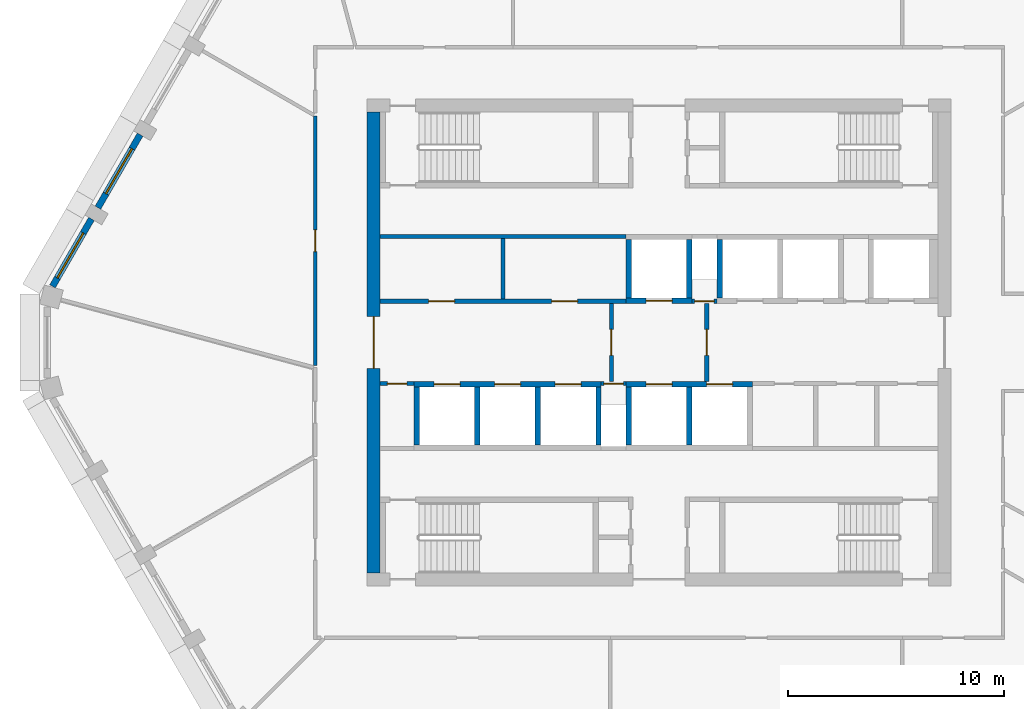
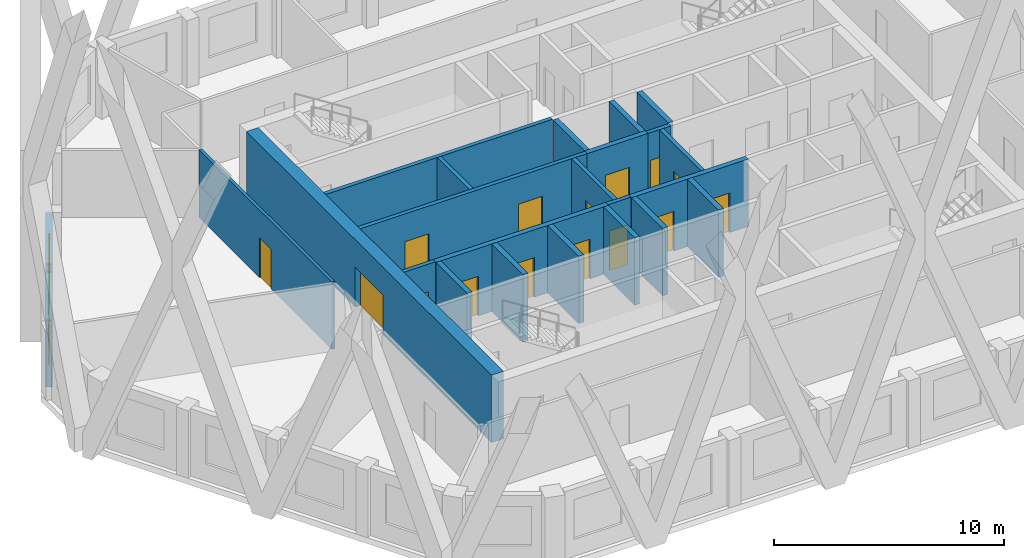
# One storey, part 3 of 14: 24 walls, 15 doors, 2 windows, 17 openings.
"""IFC4 building model written with IfcOpenShell, lengths in metres."""

from ifc_helpers import new_model, si_unit, direction, frame, frame_2d, origin, place, context, subcontext, project, spatial, polyline, rectangle, outline, extrude, material, layer, layer_set, type_object, element, fill, save


model = new_model("IFC4")

# Units and contexts
model_context = context("Model", 3, precision=1e-05, world=origin(), true_north=direction((0.0, 1.0)))
body_context = subcontext(model_context, "Body", "Model", "MODEL_VIEW")
ifc_project = project(units=[si_unit("LENGTHUNIT", "METRE"), si_unit("AREAUNIT", "SQUARE_METRE"), si_unit("VOLUMEUNIT", "CUBIC_METRE"), si_unit("PLANEANGLEUNIT", "RADIAN"), si_unit("MASSUNIT", "GRAM", prefix="KILO")], contexts=[model_context])

# Site, building, storey
site_placement = place(None, origin())
site = spatial("IfcSite", under=ifc_project, at=site_placement, CompositionType="ELEMENT")
building_placement = place(site_placement, origin())
building = spatial("IfcBuilding", under=site, at=building_placement, Name="Dhurran Vertical Campus", CompositionType="ELEMENT")
storey_placement = place(building_placement, frame((0.0, 0.0, 286.5)))
storey = spatial("IfcBuildingStorey", under=building, at=storey_placement, Name="L71", CompositionType="ELEMENT", Elevation=286.5)

# Wall, opening, window
ifc_material_1 = material(Name="Precast concrete C50/60", Category="concrete")
ifc_layer_1 = layer(ifc_material_1, 0.300048828125)
ifc_layer_set_1 = layer_set([ifc_layer_1], Name="Precast concrete C50/60")
wall_type_1 = type_object("IfcWallType", Name="Precast spandrel wall 300", PredefinedType="SOLIDWALL", material=ifc_layer_set_1)
wall_1_placement = place(storey_placement, frame((-23.994384765625, 9.60888671875, 0.0), z_axis=(0.0, 0.0, 1.0), x_axis=(-0.500011542666, -0.866018739521, 0.0)))
wall_1 = element("IfcWall", 1, at=wall_1_placement, inside=storey, type_object=wall_type_1, Name="EW1 L71.28", PredefinedType="SOLIDWALL", context=body_context, shape_type="SweptSolid", body=[
    extrude(rectangle(XDim=3.89892578125, YDim=0.300048828125, at=frame_2d((1.949462890625, 0.0))), origin(), (0.0, 0.0, 1.0), 3.574951171875),
])
opening_1_placement = place(wall_1_placement, frame((0.74951171875, 0.0, 0.89990234375)))
opening_1 = element("IfcOpeningElement", 2, at=opening_1_placement, cuts=wall_1, Name="Opening WT1", PredefinedType="OPENING", context=body_context, shape_type="SweptSolid", body=[
    extrude(rectangle(XDim=2.39990234375, YDim=2.10009765625, at=frame_2d((1.199951171875, 1.050048828125))), frame((0.0, 0.159912109375, 0.0), z_axis=(0.0, -1.0, 0.0), x_axis=(1.0, 0.0, 0.0)), (0.0, 0.0, 1.0), 0.320068359375),
])
ifc_material_2 = material(Name="Aluminium frame with solar-control glass", Category="aluminium")
window_type = type_object("IfcWindowType", Name="Punched window 2400 x 2100", PartitioningType="SINGLE_PANEL", PredefinedType="WINDOW", material=ifc_material_2)
window_1_placement = place(opening_1_placement, origin())
window_1 = element("IfcWindow", 3, at=window_1_placement, inside=storey, type_object=window_type, Name="WT1 L71.28", OverallHeight=2.10009765625, OverallWidth=2.39990234375, PartitioningType="SINGLE_PANEL", PredefinedType="WINDOW", context=body_context, shape_type="SweptSolid", body=[
    extrude(rectangle(XDim=2.39990234375, YDim=2.10009765625, at=frame_2d((1.199951171875, 1.050048828125))), frame((0.0, 0.030029296875, 0.0), z_axis=(0.0, -1.0, 0.0), x_axis=(1.0, 0.0, 0.0)), (0.0, 0.0, 1.0), 0.06005859375),
])
fill(opening_1, window_1)

wall_2_placement = place(storey_placement, frame((-26.244384765625, 5.7119140625, 0.0), z_axis=(0.0, 0.0, 1.0), x_axis=(-0.499969057507, -0.866043267704, 0.0)))
wall_2 = element("IfcWall", 4, at=wall_2_placement, inside=storey, type_object=wall_type_1, Name="EW1 L71.29", PredefinedType="SOLIDWALL", context=body_context, shape_type="SweptSolid", body=[
    extrude(rectangle(XDim=3.599365234375, YDim=0.300048828125, at=frame_2d((1.7998046875, 0.0))), origin(), (0.0, 0.0, 1.0), 3.574951171875),
])
opening_2_placement = place(wall_2_placement, frame((0.74951171875, 0.0, 0.89990234375)))
opening_2 = element("IfcOpeningElement", 5, at=opening_2_placement, cuts=wall_2, Name="Opening WT1", PredefinedType="OPENING", context=body_context, shape_type="SweptSolid", body=[
    extrude(rectangle(XDim=2.39990234375, YDim=2.10009765625, at=frame_2d((1.199951171875, 1.050048828125))), frame((0.0, 0.159912109375, 0.0), z_axis=(0.0, -1.0, 0.0), x_axis=(1.0, 0.0, 0.0)), (0.0, 0.0, 1.0), 0.320068359375),
])
window_2_placement = place(opening_2_placement, origin())
window_2 = element("IfcWindow", 6, at=window_2_placement, inside=storey, type_object=window_type, Name="WT1 L71.29", OverallHeight=2.10009765625, OverallWidth=2.39990234375, PartitioningType="SINGLE_PANEL", PredefinedType="WINDOW", context=body_context, shape_type="SweptSolid", body=[
    extrude(rectangle(XDim=2.39990234375, YDim=2.10009765625, at=frame_2d((1.199951171875, 1.050048828125))), frame((0.0, 0.030029296875, 0.0), z_axis=(0.0, -1.0, 0.0), x_axis=(1.0, 0.0, 0.0)), (0.0, 0.0, 1.0), 0.06005859375),
])
fill(opening_2, window_2)

# Wall, opening, door
ifc_material_3 = material(Name="Concrete C50/60", Category="concrete")
ifc_layer_2 = layer(ifc_material_3, 0.60009765625)
ifc_layer_set_2 = layer_set([ifc_layer_2], Name="Concrete C50/60")
wall_type_2 = type_object("IfcWallType", Name="co-CORE-WALL-C2-600", PredefinedType="SHEAR", material=ifc_layer_set_2)
wall_3_placement = place(storey_placement, frame((-13.199951171875, -10.64990234375, 0.0), z_axis=(0.0, 0.0, 1.0), x_axis=(0.0, 1.0, 0.0)))
wall_3 = element("IfcWall", 7, at=wall_3_placement, inside=storey, type_object=wall_type_2, Name="Core wall W L71", PredefinedType="SHEAR", context=body_context, shape_type="SweptSolid", body=[
    extrude(rectangle(XDim=21.2998046875, YDim=0.60009765625, at=frame_2d((10.64990234375, 0.0))), origin(), (0.0, 0.0, 1.0), 3.574951171875),
])
opening_3_placement = place(wall_3_placement, frame((9.449951171875, 0.0, 0.0)))
opening_3 = element("IfcOpeningElement", 8, at=opening_3_placement, cuts=wall_3, Name="Opening CL1", PredefinedType="OPENING", context=body_context, shape_type="SweptSolid", body=[
    extrude(rectangle(XDim=2.39990234375, YDim=2.10009765625, at=frame_2d((1.199951171875, 1.050048828125))), frame((0.0, 0.31005859375, 0.0), z_axis=(0.0, -1.0, 0.0), x_axis=(1.0, 0.0, 0.0)), (0.0, 0.0, 1.0), 0.6201171875),
])
ifc_material_4 = material(Name="Fire-rated glazed door set")
door_type_1 = type_object("IfcDoorType", Name="co-D-LOBBY 2400x2100", OperationType="DOUBLE_DOOR_DOUBLE_SWING", PredefinedType="DOOR", material=ifc_material_4)
door_1_placement = place(opening_3_placement, origin())
door_1 = element("IfcDoor", 9, at=door_1_placement, inside=storey, type_object=door_type_1, Name="Lift lobby door W L71", OperationType="DOUBLE_DOOR_DOUBLE_SWING", OverallHeight=2.10009765625, OverallWidth=2.39990234375, PredefinedType="DOOR", context=body_context, shape_type="SweptSolid", body=[
    extrude(rectangle(XDim=2.39990234375, YDim=2.10009765625, at=frame_2d((1.199951171875, 1.050048828125))), frame((0.0, 0.02490234375, 0.0), z_axis=(0.0, -1.0, 0.0), x_axis=(1.0, 0.0, 0.0)), (0.0, 0.0, 1.0), 0.050048828125),
])
fill(opening_3, door_1)

ifc_material_5 = material(Name="Fire-rated masonry blockwork", Category="masonry")
ifc_layer_3 = layer(ifc_material_5, 0.199951171875)
ifc_layer_set_3 = layer_set([ifc_layer_3], Name="Fire-rated masonry blockwork")
wall_type_3 = type_object("IfcWallType", Name="co-FIRE-PARTITION-200", PredefinedType="PARTITIONING", material=ifc_layer_set_3)
wall_4_placement = place(storey_placement, frame((-2.199951171875, -1.800048828125, 0.0), z_axis=(0.0, 0.0, 1.0), x_axis=(0.0, 1.0, 0.0)))
wall_4 = element("IfcWall", 10, at=wall_4_placement, inside=storey, type_object=wall_type_3, Name="Firefighting lobby wall W L71", PredefinedType="PARTITIONING", context=body_context, shape_type="SweptSolid", body=[
    extrude(rectangle(XDim=3.60009765625, YDim=0.199951171875, at=frame_2d((1.800048828125, 0.0))), origin(), (0.0, 0.0, 1.0), 3.574951171875),
])
opening_4_placement = place(wall_4_placement, frame((1.199951171875, 0.0, 0.0)))
opening_4 = element("IfcOpeningElement", 11, at=opening_4_placement, cuts=wall_4, Name="Opening FL1", PredefinedType="OPENING", context=body_context, shape_type="SweptSolid", body=[
    extrude(rectangle(XDim=1.199951171875, YDim=2.10009765625, at=frame_2d((0.60009765625, 1.050048828125))), frame((0.0, 0.10986328125, 0.0), z_axis=(0.0, -1.0, 0.0), x_axis=(1.0, 0.0, 0.0)), (0.0, 0.0, 1.0), 0.219970703125),
])
ifc_material_6 = material(Name="Fire-rated steel door set", Category="steel")
door_type_2 = type_object("IfcDoorType", Name="co-D-FFLOBBY 1200x2100", OperationType="SINGLE_SWING_LEFT", PredefinedType="DOOR", material=ifc_material_6)
door_2_placement = place(opening_4_placement, origin())
door_2 = element("IfcDoor", 12, at=door_2_placement, inside=storey, type_object=door_type_2, Name="Firefighting lobby door W L71", OperationType="SINGLE_SWING_LEFT", OverallHeight=2.10009765625, OverallWidth=1.199951171875, PredefinedType="DOOR", context=body_context, shape_type="SweptSolid", body=[
    extrude(rectangle(XDim=1.199951171875, YDim=2.10009765625, at=frame_2d((0.60009765625, 1.050048828125))), frame((0.0, 0.02490234375, 0.0), z_axis=(0.0, -1.0, 0.0), x_axis=(1.0, 0.0, 0.0)), (0.0, 0.0, 1.0), 0.050048828125),
])
fill(opening_4, door_2)

wall_5_placement = place(storey_placement, frame((2.199951171875, -1.800048828125, 0.0), z_axis=(0.0, 0.0, 1.0), x_axis=(0.0, 1.0, 0.0)))
wall_5 = element("IfcWall", 13, at=wall_5_placement, inside=storey, type_object=wall_type_3, Name="Firefighting lobby wall E L71", PredefinedType="PARTITIONING", context=body_context, shape_type="SweptSolid", body=[
    extrude(rectangle(XDim=3.60009765625, YDim=0.199951171875, at=frame_2d((1.800048828125, 0.0))), origin(), (0.0, 0.0, 1.0), 3.574951171875),
])
opening_5_placement = place(wall_5_placement, frame((1.199951171875, 0.0, 0.0)))
opening_5 = element("IfcOpeningElement", 14, at=opening_5_placement, cuts=wall_5, Name="Opening FL2", PredefinedType="OPENING", context=body_context, shape_type="SweptSolid", body=[
    extrude(rectangle(XDim=1.199951171875, YDim=2.10009765625, at=frame_2d((0.60009765625, 1.050048828125))), frame((0.0, 0.10986328125, 0.0), z_axis=(0.0, -1.0, 0.0), x_axis=(1.0, 0.0, 0.0)), (0.0, 0.0, 1.0), 0.219970703125),
])
door_3_placement = place(opening_5_placement, origin())
door_3 = element("IfcDoor", 15, at=door_3_placement, inside=storey, type_object=door_type_2, Name="Firefighting lobby door E L71", OperationType="SINGLE_SWING_LEFT", OverallHeight=2.10009765625, OverallWidth=1.199951171875, PredefinedType="DOOR", context=body_context, shape_type="SweptSolid", body=[
    extrude(rectangle(XDim=1.199951171875, YDim=2.10009765625, at=frame_2d((0.60009765625, 1.050048828125))), frame((0.0, 0.02490234375, 0.0), z_axis=(0.0, -1.0, 0.0), x_axis=(1.0, 0.0, 0.0)), (0.0, 0.0, 1.0), 0.050048828125),
])
fill(opening_5, door_3)

# Wall
wall_6_placement = place(storey_placement, frame((-7.21240234375, 2.0, 0.0), z_axis=(0.0, 0.0, 1.0), x_axis=(0.0, 1.0, 0.0)))
element("IfcWall", 16, at=wall_6_placement, inside=storey, type_object=wall_type_3, Name="Core partition fr-N0-cut0 L71", PredefinedType="PARTITIONING", context=body_context, shape_type="SweptSolid", body=[
    extrude(rectangle(XDim=2.800048828125, YDim=0.199951171875, at=frame_2d((1.39990234375, 0.0))), origin(), (0.0, 0.0, 1.0), 3.574951171875),
])

# Wall, openings, doors
wall_7_placement = place(storey_placement, frame((-12.89990234375, 1.89990234375, 0.0), z_axis=(0.0, 0.0, 1.0), x_axis=(1.0, 0.0, 0.0)))
wall_7 = element("IfcWall", 17, at=wall_7_placement, inside=storey, type_object=wall_type_3, Name="Core partition fr-N0-f L71", PredefinedType="PARTITIONING", context=body_context, shape_type="SweptSolid", body=[
    extrude(rectangle(XDim=11.375, YDim=0.199951171875, at=frame_2d((5.6875, 0.0))), origin(), (0.0, 0.0, 1.0), 3.574951171875),
])
opening_6_placement = place(wall_7_placement, frame((2.243896484375, 0.0, 0.0)))
opening_6 = element("IfcOpeningElement", 18, at=opening_6_placement, cuts=wall_7, Name="Opening T21-C7", PredefinedType="OPENING", context=body_context, shape_type="SweptSolid", body=[
    extrude(rectangle(XDim=1.199951171875, YDim=2.10009765625, at=frame_2d((0.60009765625, 1.050048828125))), frame((0.0, 0.10986328125, 0.0), z_axis=(0.0, -1.0, 0.0), x_axis=(1.0, 0.0, 0.0)), (0.0, 0.0, 1.0), 0.219970703125),
])
opening_7_placement = place(wall_7_placement, frame((7.931396484375, 0.0, 0.0)))
opening_7 = element("IfcOpeningElement", 19, at=opening_7_placement, cuts=wall_7, Name="Opening T21-C8", PredefinedType="OPENING", context=body_context, shape_type="SweptSolid", body=[
    extrude(rectangle(XDim=1.199951171875, YDim=2.10009765625, at=frame_2d((0.60009765625, 1.050048828125))), frame((0.0, 0.10986328125, 0.0), z_axis=(0.0, -1.0, 0.0), x_axis=(1.0, 0.0, 0.0)), (0.0, 0.0, 1.0), 0.219970703125),
])
ifc_material_7 = material(Name="Fire-rated steel door set", Category="steel")
door_type_3 = type_object("IfcDoorType", Name="co-D-ROOM-PASSAGE 1200x2100", OperationType="SINGLE_SWING_RIGHT", PredefinedType="DOOR", material=ifc_material_7)
door_4_placement = place(opening_6_placement, origin())
door_4 = element("IfcDoor", 20, at=door_4_placement, inside=storey, type_object=door_type_3, Name="Store door L71", OperationType="SINGLE_SWING_RIGHT", OverallHeight=2.10009765625, OverallWidth=1.199951171875, PredefinedType="DOOR", context=body_context, shape_type="SweptSolid", body=[
    extrude(rectangle(XDim=1.199951171875, YDim=2.10009765625, at=frame_2d((0.60009765625, 1.050048828125))), frame((0.0, 0.02490234375, 0.0), z_axis=(0.0, -1.0, 0.0), x_axis=(1.0, 0.0, 0.0)), (0.0, 0.0, 1.0), 0.050048828125),
])
fill(opening_6, door_4)
door_5_placement = place(opening_7_placement, origin())
door_5 = element("IfcDoor", 21, at=door_5_placement, inside=storey, type_object=door_type_3, Name="Electrical riser door L71", OperationType="SINGLE_SWING_RIGHT", OverallHeight=2.10009765625, OverallWidth=1.199951171875, PredefinedType="DOOR", context=body_context, shape_type="SweptSolid", body=[
    extrude(rectangle(XDim=1.199951171875, YDim=2.10009765625, at=frame_2d((0.60009765625, 1.050048828125))), frame((0.0, 0.02490234375, 0.0), z_axis=(0.0, -1.0, 0.0), x_axis=(1.0, 0.0, 0.0)), (0.0, 0.0, 1.0), 0.050048828125),
])
fill(opening_7, door_5)

# Wall
wall_8_placement = place(storey_placement, frame((-12.89990234375, 4.89990234375, 0.0), z_axis=(0.0, 0.0, 1.0), x_axis=(1.0, 0.0, 0.0)))
element("IfcWall", 22, at=wall_8_placement, inside=storey, type_object=wall_type_3, Name="Core partition fr-N0-b L71", PredefinedType="PARTITIONING", context=body_context, shape_type="SweptSolid", body=[
    extrude(rectangle(XDim=11.375, YDim=0.199951171875, at=frame_2d((5.6875, 0.0))), origin(), (0.0, 0.0, 1.0), 3.574951171875),
])

# Wall, opening, door
wall_9_placement = place(storey_placement, frame((1.52490234375, 1.89990234375, 0.0), z_axis=(0.0, 0.0, 1.0), x_axis=(1.0, 0.0, 0.0)))
wall_9 = element("IfcWall", 23, at=wall_9_placement, inside=storey, type_object=wall_type_3, Name="Core partition fr-N1-f L71", PredefinedType="PARTITIONING", context=body_context, shape_type="SweptSolid", body=[
    extrude(rectangle(XDim=1.150146484375, YDim=0.199951171875, at=frame_2d((0.5751953125, 0.0))), origin(), (0.0, 0.0, 1.0), 3.574951171875),
])
opening_8_placement = place(wall_9_placement, frame((0.125, 0.0, 0.0)))
opening_8 = element("IfcOpeningElement", 24, at=opening_8_placement, cuts=wall_9, Name="Opening T21-C9", PredefinedType="OPENING", context=body_context, shape_type="SweptSolid", body=[
    extrude(rectangle(XDim=0.89990234375, YDim=2.10009765625, at=frame_2d((0.449951171875, 1.050048828125))), frame((0.0, 0.10986328125, 0.0), z_axis=(0.0, -1.0, 0.0), x_axis=(1.0, 0.0, 0.0)), (0.0, 0.0, 1.0), 0.219970703125),
])
ifc_material_8 = material(Name="Fire-rated timber door set", Category="wood")
door_type_4 = type_object("IfcDoorType", Name="co-D-ROOM 900x2100", OperationType="SINGLE_SWING_LEFT", PredefinedType="DOOR", material=ifc_material_8)
door_6_placement = place(opening_8_placement, origin())
door_6 = element("IfcDoor", 25, at=door_6_placement, inside=storey, type_object=door_type_4, Name="Water riser door L71", OperationType="SINGLE_SWING_LEFT", OverallHeight=2.10009765625, OverallWidth=0.89990234375, PredefinedType="DOOR", context=body_context, shape_type="SweptSolid", body=[
    extrude(rectangle(XDim=0.89990234375, YDim=2.10009765625, at=frame_2d((0.449951171875, 1.050048828125))), frame((0.0, 0.02490234375, 0.0), z_axis=(0.0, -1.0, 0.0), x_axis=(1.0, 0.0, 0.0)), (0.0, 0.0, 1.0), 0.050048828125),
])
fill(opening_8, door_6)

wall_10_placement = place(storey_placement, frame((-12.89990234375, -1.89990234375, 0.0), z_axis=(0.0, 0.0, 1.0), x_axis=(1.0, 0.0, 0.0)))
wall_10 = element("IfcWall", 26, at=wall_10_placement, inside=storey, type_object=wall_type_3, Name="Core partition fr-S0-f L71", PredefinedType="PARTITIONING", context=body_context, shape_type="SweptSolid", body=[
    extrude(rectangle(XDim=1.574951171875, YDim=0.199951171875, at=frame_2d((0.78759765625, 0.0))), origin(), (0.0, 0.0, 1.0), 3.574951171875),
])
opening_9_placement = place(wall_10_placement, frame((0.33740234375, 0.0, 0.0)))
opening_9 = element("IfcOpeningElement", 27, at=opening_9_placement, cuts=wall_10, Name="Opening T21-C11", PredefinedType="OPENING", context=body_context, shape_type="SweptSolid", body=[
    extrude(rectangle(XDim=0.89990234375, YDim=2.10009765625, at=frame_2d((0.449951171875, 1.050048828125))), frame((0.0, 0.10986328125, 0.0), z_axis=(0.0, -1.0, 0.0), x_axis=(1.0, 0.0, 0.0)), (0.0, 0.0, 1.0), 0.219970703125),
])
door_7_placement = place(opening_9_placement, origin())
door_7 = element("IfcDoor", 28, at=door_7_placement, inside=storey, type_object=door_type_4, Name="Cleaner's store door L71", OperationType="SINGLE_SWING_LEFT", OverallHeight=2.10009765625, OverallWidth=0.89990234375, PredefinedType="DOOR", context=body_context, shape_type="SweptSolid", body=[
    extrude(rectangle(XDim=0.89990234375, YDim=2.10009765625, at=frame_2d((0.449951171875, 1.050048828125))), frame((0.0, 0.02490234375, 0.0), z_axis=(0.0, -1.0, 0.0), x_axis=(1.0, 0.0, 0.0)), (0.0, 0.0, 1.0), 0.050048828125),
])
fill(opening_9, door_7)

wall_11_placement = place(storey_placement, frame((-2.675048828125, -1.89990234375, 0.0), z_axis=(0.0, 0.0, 1.0), x_axis=(1.0, 0.0, 0.0)))
wall_11 = element("IfcWall", 29, at=wall_11_placement, inside=storey, type_object=wall_type_3, Name="Core partition fr-S1-f L71", PredefinedType="PARTITIONING", context=body_context, shape_type="SweptSolid", body=[
    extrude(rectangle(XDim=1.150146484375, YDim=0.199951171875, at=frame_2d((0.5751953125, 0.0))), origin(), (0.0, 0.0, 1.0), 3.574951171875),
])
opening_10_placement = place(wall_11_placement, frame((0.125, 0.0, 0.0)))
opening_10 = element("IfcOpeningElement", 30, at=opening_10_placement, cuts=wall_11, Name="Opening T21-C12", PredefinedType="OPENING", context=body_context, shape_type="SweptSolid", body=[
    extrude(rectangle(XDim=0.89990234375, YDim=2.10009765625, at=frame_2d((0.449951171875, 1.050048828125))), frame((0.0, 0.10986328125, 0.0), z_axis=(0.0, -1.0, 0.0), x_axis=(1.0, 0.0, 0.0)), (0.0, 0.0, 1.0), 0.219970703125),
])
door_8_placement = place(opening_10_placement, origin())
door_8 = element("IfcDoor", 31, at=door_8_placement, inside=storey, type_object=door_type_4, Name="Electrical riser door L71", OperationType="SINGLE_SWING_LEFT", OverallHeight=2.10009765625, OverallWidth=0.89990234375, PredefinedType="DOOR", context=body_context, shape_type="SweptSolid", body=[
    extrude(rectangle(XDim=0.89990234375, YDim=2.10009765625, at=frame_2d((0.449951171875, 1.050048828125))), frame((0.0, 0.02490234375, 0.0), z_axis=(0.0, -1.0, 0.0), x_axis=(1.0, 0.0, 0.0)), (0.0, 0.0, 1.0), 0.050048828125),
])
fill(opening_10, door_8)

ifc_material_9 = material(Name="Concrete C50/60", Category="concrete")
ifc_layer_4 = layer(ifc_material_9, 0.25)
ifc_layer_set_4 = layer_set([ifc_layer_4], Name="Concrete C50/60")
wall_type_4 = type_object("IfcWallType", Name="co-SHAFT-FRONT-250", PredefinedType="SHEAR", material=ifc_layer_set_4)
wall_12_placement = place(storey_placement, frame((-1.52490234375, 1.925048828125, 0.0), z_axis=(0.0, 0.0, 1.0), x_axis=(1.0, 0.0, 0.0)))
wall_12 = element("IfcWall", 32, at=wall_12_placement, inside=storey, type_object=wall_type_4, Name="Lift landing wall N L71", PredefinedType="SHEAR", context=body_context, shape_type="SweptSolid", body=[
    extrude(rectangle(XDim=3.0498046875, YDim=0.25, at=frame_2d((1.52490234375, 0.0))), origin(), (0.0, 0.0, 1.0), 3.574951171875),
])
opening_11_placement = place(wall_12_placement, frame((0.925048828125, 0.0, 0.0)))
opening_11 = element("IfcOpeningElement", 33, at=opening_11_placement, cuts=wall_12, Name="Opening LD", PredefinedType="OPENING", context=body_context, shape_type="SweptSolid", body=[
    extrude(rectangle(XDim=1.199951171875, YDim=2.10009765625, at=frame_2d((0.60009765625, 1.050048828125))), frame((0.0, 0.135009765625, 0.0), z_axis=(0.0, -1.0, 0.0), x_axis=(1.0, 0.0, 0.0)), (0.0, 0.0, 1.0), 0.27001953125),
])
ifc_material_10 = material(Name="Stainless steel landing door", Category="steel")
door_type_5 = type_object("IfcDoorType", Name="co-D-LANDING 1200x2100", OperationType="DOUBLE_DOOR_SLIDING", PredefinedType="DOOR", material=ifc_material_10)
door_9_placement = place(opening_11_placement, origin())
door_9 = element("IfcDoor", 34, at=door_9_placement, inside=storey, type_object=door_type_5, Name="Landing door FF1 L71", OperationType="DOUBLE_DOOR_SLIDING", OverallHeight=2.10009765625, OverallWidth=1.199951171875, PredefinedType="DOOR", context=body_context, shape_type="SweptSolid", body=[
    extrude(rectangle(XDim=1.199951171875, YDim=2.10009765625, at=frame_2d((0.60009765625, 1.050048828125))), frame((0.0, 0.02490234375, 0.0), z_axis=(0.0, -1.0, 0.0), x_axis=(1.0, 0.0, 0.0)), (0.0, 0.0, 1.0), 0.050048828125),
])
fill(opening_11, door_9)

# Wall, openings, doors
wall_13_placement = place(storey_placement, frame((-11.324951171875, -1.925048828125, 0.0), z_axis=(0.0, 0.0, 1.0), x_axis=(1.0, 0.0, 0.0)))
wall_13 = element("IfcWall", 35, at=wall_13_placement, inside=storey, type_object=wall_type_4, Name="Lift landing wall S L71", PredefinedType="SHEAR", context=body_context, shape_type="SweptSolid", body=[
    extrude(rectangle(XDim=8.64990234375, YDim=0.25, at=frame_2d((4.324951171875, 0.0))), origin(), (0.0, 0.0, 1.0), 3.574951171875),
])
opening_12_placement = place(wall_13_placement, frame((0.925048828125, 0.0, 0.0)))
opening_12 = element("IfcOpeningElement", 36, at=opening_12_placement, cuts=wall_13, Name="Opening LD", PredefinedType="OPENING", context=body_context, shape_type="SweptSolid", body=[
    extrude(rectangle(XDim=1.199951171875, YDim=2.10009765625, at=frame_2d((0.60009765625, 1.050048828125))), frame((0.0, 0.135009765625, 0.0), z_axis=(0.0, -1.0, 0.0), x_axis=(1.0, 0.0, 0.0)), (0.0, 0.0, 1.0), 0.27001953125),
])
opening_13_placement = place(wall_13_placement, frame((3.72509765625, 0.0, 0.0)))
opening_13 = element("IfcOpeningElement", 37, at=opening_13_placement, cuts=wall_13, Name="Opening LD", PredefinedType="OPENING", context=body_context, shape_type="SweptSolid", body=[
    extrude(rectangle(XDim=1.199951171875, YDim=2.10009765625, at=frame_2d((0.60009765625, 1.050048828125))), frame((0.0, 0.135009765625, 0.0), z_axis=(0.0, -1.0, 0.0), x_axis=(1.0, 0.0, 0.0)), (0.0, 0.0, 1.0), 0.27001953125),
])
opening_14_placement = place(wall_13_placement, frame((6.52490234375, 0.0, 0.0)))
opening_14 = element("IfcOpeningElement", 38, at=opening_14_placement, cuts=wall_13, Name="Opening LD", PredefinedType="OPENING", context=body_context, shape_type="SweptSolid", body=[
    extrude(rectangle(XDim=1.199951171875, YDim=2.10009765625, at=frame_2d((0.60009765625, 1.050048828125))), frame((0.0, 0.135009765625, 0.0), z_axis=(0.0, -1.0, 0.0), x_axis=(1.0, 0.0, 0.0)), (0.0, 0.0, 1.0), 0.27001953125),
])
door_10_placement = place(opening_12_placement, origin())
door_10 = element("IfcDoor", 39, at=door_10_placement, inside=storey, type_object=door_type_5, Name="Landing door HR3 L71", OperationType="DOUBLE_DOOR_SLIDING", OverallHeight=2.10009765625, OverallWidth=1.199951171875, PredefinedType="DOOR", context=body_context, shape_type="SweptSolid", body=[
    extrude(rectangle(XDim=1.199951171875, YDim=2.10009765625, at=frame_2d((0.60009765625, 1.050048828125))), frame((0.0, 0.02490234375, 0.0), z_axis=(0.0, -1.0, 0.0), x_axis=(1.0, 0.0, 0.0)), (0.0, 0.0, 1.0), 0.050048828125),
])
fill(opening_12, door_10)
door_11_placement = place(opening_13_placement, origin())
door_11 = element("IfcDoor", 40, at=door_11_placement, inside=storey, type_object=door_type_5, Name="Landing door HR4 L71", OperationType="DOUBLE_DOOR_SLIDING", OverallHeight=2.10009765625, OverallWidth=1.199951171875, PredefinedType="DOOR", context=body_context, shape_type="SweptSolid", body=[
    extrude(rectangle(XDim=1.199951171875, YDim=2.10009765625, at=frame_2d((0.60009765625, 1.050048828125))), frame((0.0, 0.02490234375, 0.0), z_axis=(0.0, -1.0, 0.0), x_axis=(1.0, 0.0, 0.0)), (0.0, 0.0, 1.0), 0.050048828125),
])
fill(opening_13, door_11)
door_12_placement = place(opening_14_placement, origin())
door_12 = element("IfcDoor", 41, at=door_12_placement, inside=storey, type_object=door_type_5, Name="Landing door HR5 L71", OperationType="DOUBLE_DOOR_SLIDING", OverallHeight=2.10009765625, OverallWidth=1.199951171875, PredefinedType="DOOR", context=body_context, shape_type="SweptSolid", body=[
    extrude(rectangle(XDim=1.199951171875, YDim=2.10009765625, at=frame_2d((0.60009765625, 1.050048828125))), frame((0.0, 0.02490234375, 0.0), z_axis=(0.0, -1.0, 0.0), x_axis=(1.0, 0.0, 0.0)), (0.0, 0.0, 1.0), 0.050048828125),
])
fill(opening_14, door_12)

wall_14_placement = place(storey_placement, frame((-1.52490234375, -1.925048828125, 0.0), z_axis=(0.0, 0.0, 1.0), x_axis=(1.0, 0.0, 0.0)))
wall_14 = element("IfcWall", 42, at=wall_14_placement, inside=storey, type_object=wall_type_4, Name="Lift landing wall S L71", PredefinedType="SHEAR", context=body_context, shape_type="SweptSolid", body=[
    extrude(rectangle(XDim=5.849853515625, YDim=0.25, at=frame_2d((2.9248046875, 0.0))), origin(), (0.0, 0.0, 1.0), 3.574951171875),
])
opening_15_placement = place(wall_14_placement, frame((0.925048828125, 0.0, 0.0)))
opening_15 = element("IfcOpeningElement", 43, at=opening_15_placement, cuts=wall_14, Name="Opening LD", PredefinedType="OPENING", context=body_context, shape_type="SweptSolid", body=[
    extrude(rectangle(XDim=1.199951171875, YDim=2.10009765625, at=frame_2d((0.60009765625, 1.050048828125))), frame((0.0, 0.135009765625, 0.0), z_axis=(0.0, -1.0, 0.0), x_axis=(1.0, 0.0, 0.0)), (0.0, 0.0, 1.0), 0.27001953125),
])
opening_16_placement = place(wall_14_placement, frame((3.72509765625, 0.0, 0.0)))
opening_16 = element("IfcOpeningElement", 44, at=opening_16_placement, cuts=wall_14, Name="Opening LD", PredefinedType="OPENING", context=body_context, shape_type="SweptSolid", body=[
    extrude(rectangle(XDim=1.199951171875, YDim=2.10009765625, at=frame_2d((0.60009765625, 1.050048828125))), frame((0.0, 0.135009765625, 0.0), z_axis=(0.0, -1.0, 0.0), x_axis=(1.0, 0.0, 0.0)), (0.0, 0.0, 1.0), 0.27001953125),
])
door_13_placement = place(opening_15_placement, origin())
door_13 = element("IfcDoor", 45, at=door_13_placement, inside=storey, type_object=door_type_5, Name="Landing door FF2 L71", OperationType="DOUBLE_DOOR_SLIDING", OverallHeight=2.10009765625, OverallWidth=1.199951171875, PredefinedType="DOOR", context=body_context, shape_type="SweptSolid", body=[
    extrude(rectangle(XDim=1.199951171875, YDim=2.10009765625, at=frame_2d((0.60009765625, 1.050048828125))), frame((0.0, 0.02490234375, 0.0), z_axis=(0.0, -1.0, 0.0), x_axis=(1.0, 0.0, 0.0)), (0.0, 0.0, 1.0), 0.050048828125),
])
fill(opening_15, door_13)
door_14_placement = place(opening_16_placement, origin())
door_14 = element("IfcDoor", 46, at=door_14_placement, inside=storey, type_object=door_type_5, Name="Landing door SV1 L71", OperationType="DOUBLE_DOOR_SLIDING", OverallHeight=2.10009765625, OverallWidth=1.199951171875, PredefinedType="DOOR", context=body_context, shape_type="SweptSolid", body=[
    extrude(rectangle(XDim=1.199951171875, YDim=2.10009765625, at=frame_2d((0.60009765625, 1.050048828125))), frame((0.0, 0.02490234375, 0.0), z_axis=(0.0, -1.0, 0.0), x_axis=(1.0, 0.0, 0.0)), (0.0, 0.0, 1.0), 0.050048828125),
])
fill(opening_16, door_14)

# Walls
ifc_material_11 = material(Name="Concrete C50/60", Category="concrete")
ifc_layer_5 = layer(ifc_material_11, 0.25)
ifc_layer_set_5 = layer_set([ifc_layer_5], Name="Concrete C50/60")
wall_type_5 = type_object("IfcWallType", Name="co-SHAFT-MASS-250", PredefinedType="SHEAR", material=ifc_layer_set_5)
wall_15_placement = place(storey_placement, origin())
element("IfcWall", 47, at=wall_15_placement, inside=storey, type_object=wall_type_5, Name="Lift shaft wall N L71 4", PredefinedType="SHEAR", context=body_context, shape_type="SweptSolid", body=[
    extrude(outline(polyline([(-1.52490234375, 2.050048828125), (-1.27490234375, 2.050048828125), (-1.27490234375, 4.75), (-1.52490234375, 4.75), (-1.52490234375, 2.050048828125)])), origin(), (0.0, 0.0, 1.0), 3.574951171875),
])
wall_16_placement = place(storey_placement, origin())
element("IfcWall", 48, at=wall_16_placement, inside=storey, type_object=wall_type_5, Name="Lift shaft wall N L71 5", PredefinedType="SHEAR", context=body_context, shape_type="SweptSolid", body=[
    extrude(outline(polyline([(1.27490234375, 2.050048828125), (1.52490234375, 2.050048828125), (1.52490234375, 4.75), (1.27490234375, 4.75), (1.27490234375, 2.050048828125)])), origin(), (0.0, 0.0, 1.0), 3.574951171875),
])
wall_17_placement = place(storey_placement, origin())
element("IfcWall", 49, at=wall_17_placement, inside=storey, type_object=wall_type_5, Name="Lift shaft wall N L71 6", PredefinedType="SHEAR", context=body_context, shape_type="SweptSolid", body=[
    extrude(outline(polyline([(2.675048828125, 2.050048828125), (2.925048828125, 2.050048828125), (2.925048828125, 4.75), (2.675048828125, 4.75), (2.675048828125, 2.050048828125)])), origin(), (0.0, 0.0, 1.0), 3.574951171875),
])
wall_18_placement = place(storey_placement, origin())
element("IfcWall", 50, at=wall_18_placement, inside=storey, type_object=wall_type_5, Name="Lift shaft wall S L71 3", PredefinedType="SHEAR", context=body_context, shape_type="SweptSolid", body=[
    extrude(outline(polyline([(-11.324951171875, -4.75), (-11.074951171875, -4.75), (-11.074951171875, -2.050048828125), (-11.324951171875, -2.050048828125), (-11.324951171875, -4.75)])), origin(), (0.0, 0.0, 1.0), 3.574951171875),
])
wall_19_placement = place(storey_placement, origin())
element("IfcWall", 51, at=wall_19_placement, inside=storey, type_object=wall_type_5, Name="Lift shaft wall S L71 4", PredefinedType="SHEAR", context=body_context, shape_type="SweptSolid", body=[
    extrude(outline(polyline([(-8.52490234375, -4.75), (-8.27490234375, -4.75), (-8.27490234375, -2.050048828125), (-8.52490234375, -2.050048828125), (-8.52490234375, -4.75)])), origin(), (0.0, 0.0, 1.0), 3.574951171875),
])
wall_20_placement = place(storey_placement, origin())
element("IfcWall", 52, at=wall_20_placement, inside=storey, type_object=wall_type_5, Name="Lift shaft wall S L71 5", PredefinedType="SHEAR", context=body_context, shape_type="SweptSolid", body=[
    extrude(outline(polyline([(-5.72509765625, -4.75), (-5.47509765625, -4.75), (-5.47509765625, -2.050048828125), (-5.72509765625, -2.050048828125), (-5.72509765625, -4.75)])), origin(), (0.0, 0.0, 1.0), 3.574951171875),
])
wall_21_placement = place(storey_placement, origin())
element("IfcWall", 53, at=wall_21_placement, inside=storey, type_object=wall_type_5, Name="Lift shaft wall S L71 6", PredefinedType="SHEAR", context=body_context, shape_type="SweptSolid", body=[
    extrude(outline(polyline([(-2.925048828125, -4.75), (-2.675048828125, -4.75), (-2.675048828125, -2.050048828125), (-2.925048828125, -2.050048828125), (-2.925048828125, -4.75)])), origin(), (0.0, 0.0, 1.0), 3.574951171875),
])
wall_22_placement = place(storey_placement, origin())
element("IfcWall", 54, at=wall_22_placement, inside=storey, type_object=wall_type_5, Name="Lift shaft wall S L71 7", PredefinedType="SHEAR", context=body_context, shape_type="SweptSolid", body=[
    extrude(outline(polyline([(-1.52490234375, -4.75), (-1.27490234375, -4.75), (-1.27490234375, -2.050048828125), (-1.52490234375, -2.050048828125), (-1.52490234375, -4.75)])), origin(), (0.0, 0.0, 1.0), 3.574951171875),
])
wall_23_placement = place(storey_placement, origin())
element("IfcWall", 55, at=wall_23_placement, inside=storey, type_object=wall_type_5, Name="Lift shaft wall S L71 8", PredefinedType="SHEAR", context=body_context, shape_type="SweptSolid", body=[
    extrude(outline(polyline([(1.27490234375, -4.75), (1.52490234375, -4.75), (1.52490234375, -2.050048828125), (1.27490234375, -2.050048828125), (1.27490234375, -4.75)])), origin(), (0.0, 0.0, 1.0), 3.574951171875),
])

# Wall, opening, door
ifc_material_12 = material(Name="Gypsum board corridor wall on steel studs", Category="steel")
ifc_layer_6 = layer(ifc_material_12, 0.14990234375)
ifc_layer_set_6 = layer_set([ifc_layer_6], Name="Gypsum board corridor wall on steel studs")
wall_type_6 = type_object("IfcWallType", Name="fl-CW-150 corridor wall", PredefinedType="PARTITIONING", material=ifc_layer_set_6)
wall_24_placement = place(storey_placement, frame((-15.89990234375, 10.47900390625, 0.0), z_axis=(0.0, 0.0, 1.0), x_axis=(0.0, -1.0, 0.0)))
wall_24 = element("IfcWall", 56, at=wall_24_placement, inside=storey, type_object=wall_type_6, Name="Partition 71-08", PredefinedType="PARTITIONING", context=body_context, shape_type="SweptSolid", body=[
    extrude(rectangle(XDim=11.550048828125, YDim=0.14990234375, at=frame_2d((5.77490234375, 0.0))), origin(), (0.0, 0.0, 1.0), 3.574951171875),
])
opening_17_placement = place(wall_24_placement, frame((5.27490234375, 0.0, 0.0)))
opening_17 = element("IfcOpeningElement", 57, at=opening_17_placement, cuts=wall_24, Name="Opening T21.02", PredefinedType="OPENING", context=body_context, shape_type="SweptSolid", body=[
    extrude(rectangle(XDim=1.0, YDim=2.10009765625, at=frame_2d((0.5, 1.050048828125))), frame((0.0, 0.0849609375, 0.0), z_axis=(0.0, -1.0, 0.0), x_axis=(1.0, 0.0, 0.0)), (0.0, 0.0, 1.0), 0.169921875),
])
ifc_material_13 = material(Name="Solid-core timber door set, fire-rated", Category="wood")
door_type_6 = type_object("IfcDoorType", Name="fl-D-1000x2100", OperationType="SINGLE_SWING_LEFT", PredefinedType="DOOR", material=ifc_material_13)
door_15_placement = place(opening_17_placement, origin())
door_15 = element("IfcDoor", 58, at=door_15_placement, inside=storey, type_object=door_type_6, Name="Door 71.02", OperationType="SINGLE_SWING_RIGHT", OverallHeight=2.10009765625, OverallWidth=1.0, PredefinedType="DOOR", context=body_context, shape_type="SweptSolid", body=[
    extrude(rectangle(XDim=1.0, YDim=2.10009765625, at=frame_2d((0.5, 1.050048828125))), frame((0.0, 0.02490234375, 0.0), z_axis=(0.0, -1.0, 0.0), x_axis=(1.0, 0.0, 0.0)), (0.0, 0.0, 1.0), 0.050048828125),
])
fill(opening_17, door_15)

save(model, "model.ifc")
